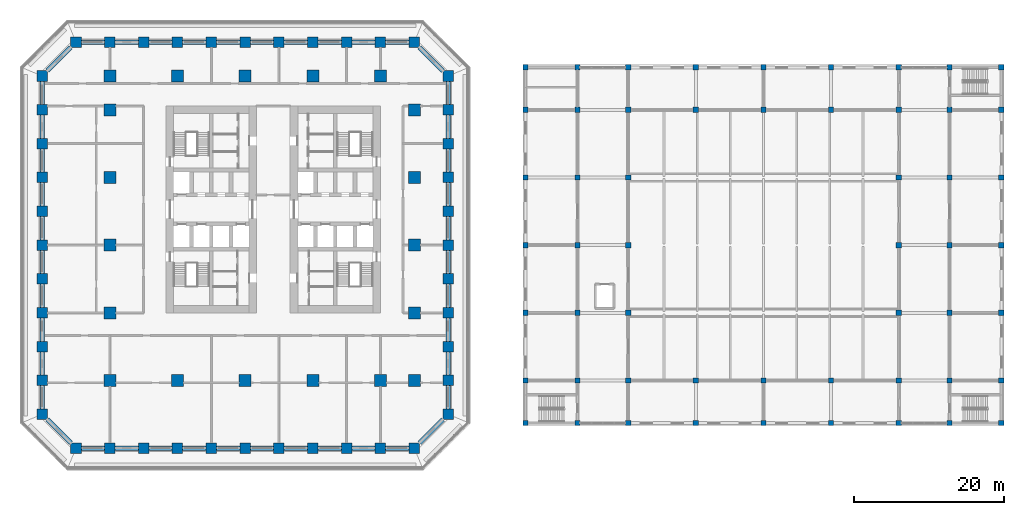
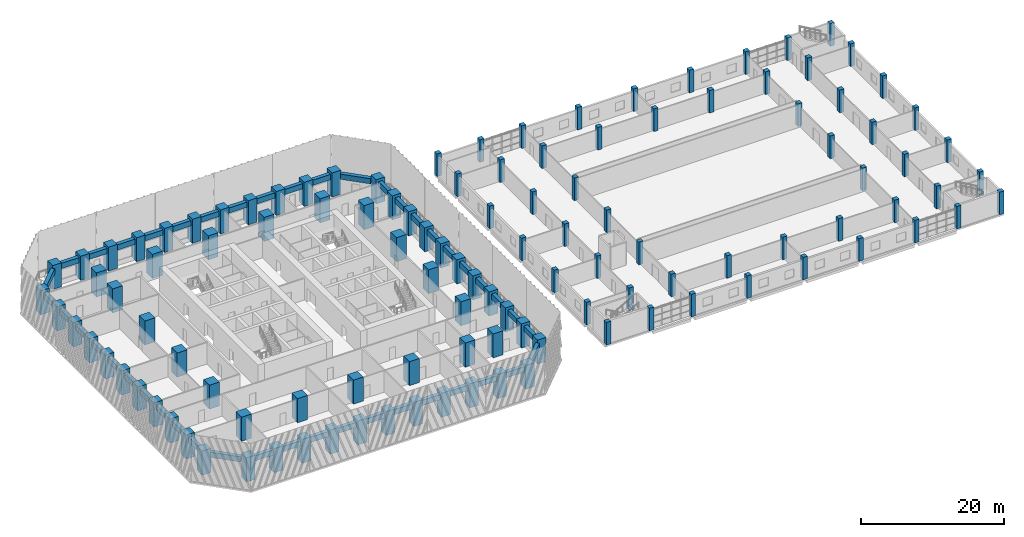
# One storey, part 1 of 31: 117 columns, 44 beams.
"""IFC4 building model written with IfcOpenShell, lengths in metres."""

from ifc_helpers import new_model, si_unit, direction, frame, origin, origin_2d, place, context, subcontext, project, spatial, rectangle, extrude, material, material_profile, profile_set, type_object, element, save


model = new_model("IFC4")

# Units and contexts
model_context = context("Model", 3, precision=1e-05, world=origin(), true_north=direction((0.0, 1.0)))
body_context = subcontext(model_context, "Body", "Model", "MODEL_VIEW")
ifc_project = project(units=[si_unit("LENGTHUNIT", "METRE"), si_unit("AREAUNIT", "SQUARE_METRE"), si_unit("VOLUMEUNIT", "CUBIC_METRE"), si_unit("PLANEANGLEUNIT", "RADIAN"), si_unit("MASSUNIT", "GRAM", prefix="KILO")], contexts=[model_context])

# Site, building, storey
site_placement = place(None, origin())
site = spatial("IfcSite", under=ifc_project, at=site_placement, CompositionType="ELEMENT")
building_placement = place(site_placement, origin())
building = spatial("IfcBuilding", under=site, at=building_placement, Name="Corbel Stack Research Tower", CompositionType="ELEMENT")
storey_placement = place(building_placement, frame((0.0, 0.0, 15.39990234375)))
storey = spatial("IfcBuildingStorey", under=building, at=storey_placement, Name="L03", CompositionType="ELEMENT", Elevation=15.39990234375)

# Columns
ifc_material_1 = material(Name="Concrete C70/85", Category="concrete")
ifc_material_profile_1 = material_profile(ifc_material_1, rectangle(XDim=1.39990234375, YDim=1.39990234375, at=origin_2d()), Name="RC 1400 x 1400")
ifc_profile_set_1 = profile_set([ifc_material_profile_1], Name="Concrete C70/85")
column_type_1 = type_object("IfcColumnType", Name="C-1400-70", PredefinedType="COLUMN", material=ifc_profile_set_1)
for number, where, z_axis, x_axis, name in (
    (1, (-27.0, -22.5, 0.0), (0.0, 0.0, 1.0), (1.0, 0.0, 0.0), "Column 2/C L03"),
    (2, (-27.0, -18.0, 0.0), (0.0, 0.0, 1.0), (1.0, 0.0, 0.0), "Column 2/D L03"),
    (3, (-27.0, -13.5, 0.0), (0.0, 0.0, 1.0), (1.0, 0.0, 0.0), "Column 2/E L03"),
    (4, (-27.0, -9.0, 0.0), (0.0, 0.0, 1.0), (1.0, 0.0, 0.0), "Column 2/F L03"),
    (5, (-27.0, -4.5, 0.0), (0.0, 0.0, 1.0), (1.0, 0.0, 0.0), "Column 2/G L03"),
    (6, (-27.0, 0.0, 0.0), (0.0, 0.0, 1.0), (1.0, 0.0, 0.0), "Column 2/H L03"),
    (7, (-27.0, 4.5, 0.0), (0.0, 0.0, 1.0), (1.0, 0.0, 0.0), "Column 2/J L03"),
    (8, (-27.0, 9.0, 0.0), (0.0, 0.0, 1.0), (1.0, 0.0, 0.0), "Column 2/K L03"),
    (9, (-27.0, 13.5, 0.0), (0.0, 0.0, 1.0), (1.0, 0.0, 0.0), "Column 2/L L03"),
    (10, (-27.0, 18.0, 0.0), (0.0, 0.0, 1.0), (1.0, 0.0, 0.0), "Column 2/M L03"),
    (11, (-27.0, 22.5, 0.0), (0.0, 0.0, 1.0), (1.0, 0.0, 0.0), "Column 2/N L03"),
    (12, (-22.5, -27.0, 0.0), (0.0, 0.0, 1.0), (1.0, 0.0, 0.0), "Column 3/B L03"),
    (13, (-22.5, 27.0, 0.0), (0.0, 0.0, 1.0), (1.0, 0.0, 0.0), "Column 3/P L03"),
    (14, (-18.0, -27.0, 0.0), (0.0, 0.0, 1.0), (1.0, 0.0, 0.0), "Column 4/B L03"),
    (15, (-18.0, 27.0, 0.0), (0.0, 0.0, 1.0), (1.0, 0.0, 0.0), "Column 4/P L03"),
    (16, (-13.5, -27.0, 0.0), (0.0, 0.0, 1.0), (1.0, 0.0, 0.0), "Column 5/B L03"),
    (17, (-13.5, 27.0, 0.0), (0.0, 0.0, 1.0), (1.0, 0.0, 0.0), "Column 5/P L03"),
    (18, (-9.0, -27.0, 0.0), (0.0, 0.0, 1.0), (1.0, 0.0, 0.0), "Column 6/B L03"),
    (19, (-9.0, 27.0, 0.0), (0.0, 0.0, 1.0), (1.0, 0.0, 0.0), "Column 6/P L03"),
    (20, (-4.5, -27.0, 0.0), (0.0, 0.0, 1.0), (1.0, 0.0, 0.0), "Column 7/B L03"),
    (21, (-4.5, 27.0, 0.0), (0.0, 0.0, 1.0), (1.0, 0.0, 0.0), "Column 7/P L03"),
    (22, (0.0, -27.0, 0.0), (0.0, 0.0, 1.0), (1.0, 0.0, 0.0), "Column 8/B L03"),
    (23, (0.0, 27.0, 0.0), (0.0, 0.0, 1.0), (1.0, 0.0, 0.0), "Column 8/P L03"),
    (24, (4.5, -27.0, 0.0), (0.0, 0.0, 1.0), (1.0, 0.0, 0.0), "Column 9/B L03"),
    (25, (4.5, 27.0, 0.0), (0.0, 0.0, 1.0), (1.0, 0.0, 0.0), "Column 9/P L03"),
    (26, (9.0, -27.0, 0.0), (0.0, 0.0, 1.0), (1.0, 0.0, 0.0), "Column 10/B L03"),
    (27, (9.0, 27.0, 0.0), (0.0, 0.0, 1.0), (1.0, 0.0, 0.0), "Column 10/P L03"),
    (28, (13.5, -27.0, 0.0), (0.0, 0.0, 1.0), (1.0, 0.0, 0.0), "Column 11/B L03"),
    (29, (13.5, 27.0, 0.0), (0.0, 0.0, 1.0), (1.0, 0.0, 0.0), "Column 11/P L03"),
    (30, (18.0, -27.0, 0.0), (0.0, 0.0, 1.0), (1.0, 0.0, 0.0), "Column 12/B L03"),
    (31, (18.0, 27.0, 0.0), (0.0, 0.0, 1.0), (1.0, 0.0, 0.0), "Column 12/P L03"),
    (32, (22.5, -27.0, 0.0), (0.0, 0.0, 1.0), (1.0, 0.0, 0.0), "Column 13/B L03"),
    (33, (22.5, 27.0, 0.0), (0.0, 0.0, 1.0), (1.0, 0.0, 0.0), "Column 13/P L03"),
    (34, (27.0, -22.5, 0.0), (0.0, 0.0, 1.0), (1.0, 0.0, 0.0), "Column 14/C L03"),
    (35, (27.0, -18.0, 0.0), (0.0, 0.0, 1.0), (1.0, 0.0, 0.0), "Column 14/D L03"),
    (36, (27.0, -13.5, 0.0), (0.0, 0.0, 1.0), (1.0, 0.0, 0.0), "Column 14/E L03"),
    (37, (27.0, -9.0, 0.0), (0.0, 0.0, 1.0), (1.0, 0.0, 0.0), "Column 14/F L03"),
    (38, (27.0, -4.5, 0.0), (0.0, 0.0, 1.0), (1.0, 0.0, 0.0), "Column 14/G L03"),
    (39, (27.0, 0.0, 0.0), (0.0, 0.0, 1.0), (1.0, 0.0, 0.0), "Column 14/H L03"),
    (40, (27.0, 4.5, 0.0), (0.0, 0.0, 1.0), (1.0, 0.0, 0.0), "Column 14/J L03"),
    (41, (27.0, 9.0, 0.0), (0.0, 0.0, 1.0), (1.0, 0.0, 0.0), "Column 14/K L03"),
    (42, (27.0, 13.5, 0.0), (0.0, 0.0, 1.0), (1.0, 0.0, 0.0), "Column 14/L L03"),
    (43, (27.0, 18.0, 0.0), (0.0, 0.0, 1.0), (1.0, 0.0, 0.0), "Column 14/M L03"),
    (44, (27.0, 22.5, 0.0), (0.0, 0.0, 1.0), (1.0, 0.0, 0.0), "Column 14/N L03"),
):
    element("IfcColumn", number, at=place(storey_placement, frame(where, z_axis=z_axis, x_axis=x_axis)), inside=storey, type_object=column_type_1, Name=name, PredefinedType="COLUMN", context=body_context, shape_type="SweptSolid", body=[
        extrude(rectangle(XDim=1.39990234375, YDim=1.39990234375, at=origin_2d()), origin(), (0.0, 0.0, 1.0), 4.10009765625),
    ])
ifc_material_2 = material(Name="Concrete C70/85", Category="concrete")
ifc_material_profile_2 = material_profile(ifc_material_2, rectangle(XDim=1.60009765625, YDim=1.60009765625, at=origin_2d()), Name="RC 1600 x 1600")
ifc_profile_set_2 = profile_set([ifc_material_profile_2], Name="Concrete C70/85")
column_type_2 = type_object("IfcColumnType", Name="C-1600-70", PredefinedType="COLUMN", material=ifc_profile_set_2)
for number, where, z_axis, x_axis, name in (
    (45, (-18.0, -18.0, 0.0), (0.0, 0.0, 1.0), (1.0, 0.0, 0.0), "Column 4/D L03"),
    (46, (-18.0, -9.0, 0.0), (0.0, 0.0, 1.0), (1.0, 0.0, 0.0), "Column 4/F L03"),
    (47, (-18.0, 0.0, 0.0), (0.0, 0.0, 1.0), (1.0, 0.0, 0.0), "Column 4/H L03"),
    (48, (-18.0, 9.0, 0.0), (0.0, 0.0, 1.0), (1.0, 0.0, 0.0), "Column 4/K L03"),
    (49, (-18.0, 18.0, 0.0), (0.0, 0.0, 1.0), (1.0, 0.0, 0.0), "Column 4/M L03"),
    (50, (-18.0, 22.5, 0.0), (0.0, 0.0, 1.0), (1.0, 0.0, 0.0), "Column 4/N L03"),
    (51, (-9.0, -18.0, 0.0), (0.0, 0.0, 1.0), (1.0, 0.0, 0.0), "Column 6/D L03"),
    (52, (-9.0, 22.5, 0.0), (0.0, 0.0, 1.0), (1.0, 0.0, 0.0), "Column 6/N L03"),
    (53, (0.0, -18.0, 0.0), (0.0, 0.0, 1.0), (1.0, 0.0, 0.0), "Column 8/D L03"),
    (54, (0.0, 22.5, 0.0), (0.0, 0.0, 1.0), (1.0, 0.0, 0.0), "Column 8/N L03"),
    (55, (9.0, -18.0, 0.0), (0.0, 0.0, 1.0), (1.0, 0.0, 0.0), "Column 10/D L03"),
    (56, (9.0, 22.5, 0.0), (0.0, 0.0, 1.0), (1.0, 0.0, 0.0), "Column 10/N L03"),
    (57, (18.0, -18.0, 0.0), (0.0, 0.0, 1.0), (1.0, 0.0, 0.0), "Column 12/D L03"),
    (58, (18.0, 22.5, 0.0), (0.0, 0.0, 1.0), (1.0, 0.0, 0.0), "Column 12/N L03"),
    (59, (22.5, -18.0, 0.0), (0.0, 0.0, 1.0), (1.0, 0.0, 0.0), "Column 13/D L03"),
    (60, (22.5, -9.0, 0.0), (0.0, 0.0, 1.0), (1.0, 0.0, 0.0), "Column 13/F L03"),
    (61, (22.5, 0.0, 0.0), (0.0, 0.0, 1.0), (1.0, 0.0, 0.0), "Column 13/H L03"),
    (62, (22.5, 9.0, 0.0), (0.0, 0.0, 1.0), (1.0, 0.0, 0.0), "Column 13/K L03"),
    (63, (22.5, 18.0, 0.0), (0.0, 0.0, 1.0), (1.0, 0.0, 0.0), "Column 13/M L03"),
):
    element("IfcColumn", number, at=place(storey_placement, frame(where, z_axis=z_axis, x_axis=x_axis)), inside=storey, type_object=column_type_2, Name=name, PredefinedType="COLUMN", context=body_context, shape_type="SweptSolid", body=[
        extrude(rectangle(XDim=1.60009765625, YDim=1.60009765625, at=origin_2d()), origin(), (0.0, 0.0, 1.0), 4.10009765625),
    ])
ifc_material_3 = material(Name="Concrete C50/60", Category="concrete")
ifc_material_profile_3 = material_profile(ifc_material_3, rectangle(XDim=0.699951171875, YDim=0.699951171875, at=origin_2d()), Name="RC 700 x 700")
ifc_profile_set_3 = profile_set([ifc_material_profile_3], Name="Concrete C50/60")
column_type_3 = type_object("IfcColumnType", Name="HC1 RC column 700 x 700", PredefinedType="COLUMN", material=ifc_profile_set_3)
for number, where, z_axis, x_axis, name in (
    (64, (37.300048828125, -23.64990234375, 0.0), (0.0, 0.0, 1.0), (1.0, 0.0, 0.0), "Column H1/HA L03"),
    (65, (37.300048828125, -18.0, 0.0), (0.0, 0.0, 1.0), (1.0, 0.0, 0.0), "Column H1/HB L03"),
    (66, (37.300048828125, -9.0, 0.0), (0.0, 0.0, 1.0), (1.0, 0.0, 0.0), "Column H1/HC L03"),
    (67, (37.300048828125, 0.0, 0.0), (0.0, 0.0, 1.0), (1.0, 0.0, 0.0), "Column H1/HD L03"),
    (68, (37.300048828125, 9.0, 0.0), (0.0, 0.0, 1.0), (1.0, 0.0, 0.0), "Column H1/HE L03"),
    (69, (37.300048828125, 18.0, 0.0), (0.0, 0.0, 1.0), (1.0, 0.0, 0.0), "Column H1/HF L03"),
    (70, (37.300048828125, 23.64990234375, 0.0), (0.0, 0.0, 1.0), (1.0, 0.0, 0.0), "Column H1/HG L03"),
    (71, (44.199951171875, -23.64990234375, 0.0), (0.0, 0.0, 1.0), (1.0, 0.0, 0.0), "Column H2/HA L03"),
    (72, (44.199951171875, -18.0, 0.0), (0.0, 0.0, 1.0), (1.0, 0.0, 0.0), "Column H2/HB L03"),
    (73, (44.199951171875, -9.0, 0.0), (0.0, 0.0, 1.0), (1.0, 0.0, 0.0), "Column H2/HC L03"),
    (74, (44.199951171875, 0.0, 0.0), (0.0, 0.0, 1.0), (1.0, 0.0, 0.0), "Column H2/HD L03"),
    (75, (44.199951171875, 9.0, 0.0), (0.0, 0.0, 1.0), (1.0, 0.0, 0.0), "Column H2/HE L03"),
    (76, (44.199951171875, 18.0, 0.0), (0.0, 0.0, 1.0), (1.0, 0.0, 0.0), "Column H2/HF L03"),
    (77, (44.199951171875, 23.64990234375, 0.0), (0.0, 0.0, 1.0), (1.0, 0.0, 0.0), "Column H2/HG L03"),
    (78, (50.949951171875, -23.64990234375, 0.0), (0.0, 0.0, 1.0), (1.0, 0.0, 0.0), "Column H3/HA L03"),
    (79, (50.949951171875, -18.0, 0.0), (0.0, 0.0, 1.0), (1.0, 0.0, 0.0), "Column H3/HB L03"),
    (80, (50.949951171875, -9.0, 0.0), (0.0, 0.0, 1.0), (1.0, 0.0, 0.0), "Column H3/HC L03"),
    (81, (50.949951171875, 0.0, 0.0), (0.0, 0.0, 1.0), (1.0, 0.0, 0.0), "Column H3/HD L03"),
    (82, (50.949951171875, 9.0, 0.0), (0.0, 0.0, 1.0), (1.0, 0.0, 0.0), "Column H3/HE L03"),
    (83, (50.949951171875, 18.0, 0.0), (0.0, 0.0, 1.0), (1.0, 0.0, 0.0), "Column H3/HF L03"),
    (84, (50.949951171875, 23.64990234375, 0.0), (0.0, 0.0, 1.0), (1.0, 0.0, 0.0), "Column H3/HG L03"),
    (85, (59.949951171875, -23.64990234375, 0.0), (0.0, 0.0, 1.0), (1.0, 0.0, 0.0), "Column H4/HA L03"),
    (86, (59.949951171875, -18.0, 0.0), (0.0, 0.0, 1.0), (1.0, 0.0, 0.0), "Column H4/HB L03"),
    (87, (59.949951171875, 18.0, 0.0), (0.0, 0.0, 1.0), (1.0, 0.0, 0.0), "Column H4/HF L03"),
    (88, (59.949951171875, 23.64990234375, 0.0), (0.0, 0.0, 1.0), (1.0, 0.0, 0.0), "Column H4/HG L03"),
    (89, (68.949951171875, -23.64990234375, 0.0), (0.0, 0.0, 1.0), (1.0, 0.0, 0.0), "Column H5/HA L03"),
    (90, (68.949951171875, -18.0, 0.0), (0.0, 0.0, 1.0), (1.0, 0.0, 0.0), "Column H5/HB L03"),
    (91, (68.949951171875, 18.0, 0.0), (0.0, 0.0, 1.0), (1.0, 0.0, 0.0), "Column H5/HF L03"),
    (92, (68.949951171875, 23.64990234375, 0.0), (0.0, 0.0, 1.0), (1.0, 0.0, 0.0), "Column H5/HG L03"),
    (93, (77.949951171875, -23.64990234375, 0.0), (0.0, 0.0, 1.0), (1.0, 0.0, 0.0), "Column H6/HA L03"),
    (94, (77.949951171875, -18.0, 0.0), (0.0, 0.0, 1.0), (1.0, 0.0, 0.0), "Column H6/HB L03"),
    (95, (77.949951171875, 18.0, 0.0), (0.0, 0.0, 1.0), (1.0, 0.0, 0.0), "Column H6/HF L03"),
    (96, (77.949951171875, 23.64990234375, 0.0), (0.0, 0.0, 1.0), (1.0, 0.0, 0.0), "Column H6/HG L03"),
    (97, (86.949951171875, -23.64990234375, 0.0), (0.0, 0.0, 1.0), (1.0, 0.0, 0.0), "Column H7/HA L03"),
    (98, (86.949951171875, -18.0, 0.0), (0.0, 0.0, 1.0), (1.0, 0.0, 0.0), "Column H7/HB L03"),
    (99, (86.949951171875, -9.0, 0.0), (0.0, 0.0, 1.0), (1.0, 0.0, 0.0), "Column H7/HC L03"),
    (100, (86.949951171875, 0.0, 0.0), (0.0, 0.0, 1.0), (1.0, 0.0, 0.0), "Column H7/HD L03"),
    (101, (86.949951171875, 9.0, 0.0), (0.0, 0.0, 1.0), (1.0, 0.0, 0.0), "Column H7/HE L03"),
    (102, (86.949951171875, 18.0, 0.0), (0.0, 0.0, 1.0), (1.0, 0.0, 0.0), "Column H7/HF L03"),
    (103, (86.949951171875, 23.64990234375, 0.0), (0.0, 0.0, 1.0), (1.0, 0.0, 0.0), "Column H7/HG L03"),
    (104, (93.699951171875, -23.64990234375, 0.0), (0.0, 0.0, 1.0), (1.0, 0.0, 0.0), "Column H8/HA L03"),
    (105, (93.699951171875, -18.0, 0.0), (0.0, 0.0, 1.0), (1.0, 0.0, 0.0), "Column H8/HB L03"),
    (106, (93.699951171875, -9.0, 0.0), (0.0, 0.0, 1.0), (1.0, 0.0, 0.0), "Column H8/HC L03"),
    (107, (93.699951171875, 0.0, 0.0), (0.0, 0.0, 1.0), (1.0, 0.0, 0.0), "Column H8/HD L03"),
    (108, (93.699951171875, 9.0, 0.0), (0.0, 0.0, 1.0), (1.0, 0.0, 0.0), "Column H8/HE L03"),
    (109, (93.699951171875, 18.0, 0.0), (0.0, 0.0, 1.0), (1.0, 0.0, 0.0), "Column H8/HF L03"),
    (110, (93.699951171875, 23.64990234375, 0.0), (0.0, 0.0, 1.0), (1.0, 0.0, 0.0), "Column H8/HG L03"),
    (111, (100.60009765625, -23.64990234375, 0.0), (0.0, 0.0, 1.0), (1.0, 0.0, 0.0), "Column H9/HA L03"),
    (112, (100.60009765625, -18.0, 0.0), (0.0, 0.0, 1.0), (1.0, 0.0, 0.0), "Column H9/HB L03"),
    (113, (100.60009765625, -9.0, 0.0), (0.0, 0.0, 1.0), (1.0, 0.0, 0.0), "Column H9/HC L03"),
    (114, (100.60009765625, 0.0, 0.0), (0.0, 0.0, 1.0), (1.0, 0.0, 0.0), "Column H9/HD L03"),
    (115, (100.60009765625, 9.0, 0.0), (0.0, 0.0, 1.0), (1.0, 0.0, 0.0), "Column H9/HE L03"),
    (116, (100.60009765625, 18.0, 0.0), (0.0, 0.0, 1.0), (1.0, 0.0, 0.0), "Column H9/HF L03"),
    (117, (100.60009765625, 23.64990234375, 0.0), (0.0, 0.0, 1.0), (1.0, 0.0, 0.0), "Column H9/HG L03"),
):
    element("IfcColumn", number, at=place(storey_placement, frame(where, z_axis=z_axis, x_axis=x_axis)), inside=storey, type_object=column_type_3, Name=name, PredefinedType="COLUMN", context=body_context, shape_type="SweptSolid", body=[
        extrude(rectangle(XDim=0.699951171875, YDim=0.699951171875, at=origin_2d()), origin(), (0.0, 0.0, 1.0), 3.85009765625),
    ])

# Beams
ifc_material_4 = material(Name="Concrete C60/75", Category="concrete")
ifc_material_profile_4 = material_profile(ifc_material_4, rectangle(XDim=0.60009765625, YDim=0.89990234375, at=origin_2d()), Name="RC 600 x 900")
ifc_profile_set_4 = profile_set([ifc_material_profile_4], Name="Concrete C60/75")
beam_type = type_object("IfcBeamType", Name="SB-600-900-450", PredefinedType="SPANDREL", material=ifc_profile_set_4)
for number, where, z_axis, x_axis, name in (
    (118, (-21.800048828125, -27.0, 3.2001953125), (1.0, 0.0, 0.0), (0.0, 1.0, 0.0), "Spandrel beam L03-01"),
    (119, (-17.300048828125, -27.0, 3.2001953125), (1.0, 0.0, 0.0), (0.0, 1.0, 0.0), "Spandrel beam L03-02"),
    (120, (-12.800048828125, -27.0, 3.2001953125), (1.0, 0.0, 0.0), (0.0, 1.0, 0.0), "Spandrel beam L03-03"),
    (121, (-8.300048828125, -27.0, 3.2001953125), (1.0, 0.0, 0.0), (0.0, 1.0, 0.0), "Spandrel beam L03-04"),
    (122, (-3.800048828125, -27.0, 3.2001953125), (1.0, 0.0, 0.0), (0.0, 1.0, 0.0), "Spandrel beam L03-05"),
    (123, (0.699951171875, -27.0, 3.2001953125), (1.0, 0.0, 0.0), (0.0, 1.0, 0.0), "Spandrel beam L03-06"),
    (124, (5.199951171875, -27.0, 3.2001953125), (1.0, 0.0, 0.0), (0.0, 1.0, 0.0), "Spandrel beam L03-07"),
    (125, (9.699951171875, -27.0, 3.2001953125), (1.0, 0.0, 0.0), (0.0, 1.0, 0.0), "Spandrel beam L03-08"),
    (126, (14.199951171875, -27.0, 3.2001953125), (1.0, 0.0, 0.0), (0.0, 1.0, 0.0), "Spandrel beam L03-09"),
    (127, (18.699951171875, -27.0, 3.2001953125), (1.0, 0.0, 0.0), (0.0, 1.0, 0.0), "Spandrel beam L03-10"),
):
    element("IfcBeam", number, at=place(storey_placement, frame(where, z_axis=z_axis, x_axis=x_axis)), inside=storey, type_object=beam_type, Name=name, PredefinedType="SPANDREL", context=body_context, shape_type="SweptSolid", body=[
        extrude(rectangle(XDim=0.60009765625, YDim=0.89990234375, at=origin_2d()), origin(), (0.0, 0.0, 1.0), 3.10009765625),
    ])
beam_1_placement = place(storey_placement, frame((23.199951171875, -26.300048828125, 3.2001953125), z_axis=(0.707106781187, 0.707106781187, 0.0), x_axis=(-0.707106781187, 0.707106781187, 0.0)))
element("IfcBeam", 128, at=beam_1_placement, inside=storey, type_object=beam_type, Name="Spandrel beam L03-11", PredefinedType="SPANDREL", context=body_context, shape_type="SweptSolid", body=[
    extrude(rectangle(XDim=0.60009765625, YDim=0.89990234375, at=origin_2d()), origin(), (0.0, 0.0, 1.0), 4.38427734375),
])
for number, where, z_axis, x_axis, name in (
    (129, (27.0, -21.800048828125, 3.2001953125), (0.0, 1.0, 0.0), (-1.0, 0.0, 0.0), "Spandrel beam L03-12"),
    (130, (27.0, -17.300048828125, 3.2001953125), (0.0, 1.0, 0.0), (-1.0, 0.0, 0.0), "Spandrel beam L03-13"),
    (131, (27.0, -12.800048828125, 3.2001953125), (0.0, 1.0, 0.0), (-1.0, 0.0, 0.0), "Spandrel beam L03-14"),
    (132, (27.0, -8.300048828125, 3.2001953125), (0.0, 1.0, 0.0), (-1.0, 0.0, 0.0), "Spandrel beam L03-15"),
    (133, (27.0, -3.800048828125, 3.2001953125), (0.0, 1.0, 0.0), (-1.0, 0.0, 0.0), "Spandrel beam L03-16"),
    (134, (27.0, 0.699951171875, 3.2001953125), (0.0, 1.0, 0.0), (-1.0, 0.0, 0.0), "Spandrel beam L03-17"),
    (135, (27.0, 5.199951171875, 3.2001953125), (0.0, 1.0, 0.0), (-1.0, 0.0, 0.0), "Spandrel beam L03-18"),
    (136, (27.0, 9.699951171875, 3.2001953125), (0.0, 1.0, 0.0), (-1.0, 0.0, 0.0), "Spandrel beam L03-19"),
    (137, (27.0, 14.199951171875, 3.2001953125), (0.0, 1.0, 0.0), (-1.0, 0.0, 0.0), "Spandrel beam L03-20"),
    (138, (27.0, 18.699951171875, 3.2001953125), (0.0, 1.0, 0.0), (-1.0, 0.0, 0.0), "Spandrel beam L03-21"),
):
    element("IfcBeam", number, at=place(storey_placement, frame(where, z_axis=z_axis, x_axis=x_axis)), inside=storey, type_object=beam_type, Name=name, PredefinedType="SPANDREL", context=body_context, shape_type="SweptSolid", body=[
        extrude(rectangle(XDim=0.60009765625, YDim=0.89990234375, at=origin_2d()), origin(), (0.0, 0.0, 1.0), 3.10009765625),
    ])
beam_2_placement = place(storey_placement, frame((26.300048828125, 23.199951171875, 3.2001953125), z_axis=(-0.707106781187, 0.707106781187, 0.0), x_axis=(-0.707106781187, -0.707106781187, 0.0)))
element("IfcBeam", 139, at=beam_2_placement, inside=storey, type_object=beam_type, Name="Spandrel beam L03-22", PredefinedType="SPANDREL", context=body_context, shape_type="SweptSolid", body=[
    extrude(rectangle(XDim=0.60009765625, YDim=0.89990234375, at=origin_2d()), origin(), (0.0, 0.0, 1.0), 4.38427734375),
])
for number, where, z_axis, x_axis, name in (
    (140, (21.800048828125, 27.0, 3.2001953125), (-1.0, 0.0, 0.0), (0.0, -1.0, 0.0), "Spandrel beam L03-23"),
    (141, (17.300048828125, 27.0, 3.2001953125), (-1.0, 0.0, 0.0), (0.0, -1.0, 0.0), "Spandrel beam L03-24"),
    (142, (12.800048828125, 27.0, 3.2001953125), (-1.0, 0.0, 0.0), (0.0, -1.0, 0.0), "Spandrel beam L03-25"),
    (143, (8.300048828125, 27.0, 3.2001953125), (-1.0, 0.0, 0.0), (0.0, -1.0, 0.0), "Spandrel beam L03-26"),
    (144, (3.800048828125, 27.0, 3.2001953125), (-1.0, 0.0, 0.0), (0.0, -1.0, 0.0), "Spandrel beam L03-27"),
    (145, (-0.699951171875, 27.0, 3.2001953125), (-1.0, 0.0, 0.0), (0.0, -1.0, 0.0), "Spandrel beam L03-28"),
    (146, (-5.199951171875, 27.0, 3.2001953125), (-1.0, 0.0, 0.0), (0.0, -1.0, 0.0), "Spandrel beam L03-29"),
    (147, (-9.699951171875, 27.0, 3.2001953125), (-1.0, 0.0, 0.0), (0.0, -1.0, 0.0), "Spandrel beam L03-30"),
    (148, (-14.199951171875, 27.0, 3.2001953125), (-1.0, 0.0, 0.0), (0.0, -1.0, 0.0), "Spandrel beam L03-31"),
    (149, (-18.699951171875, 27.0, 3.2001953125), (-1.0, 0.0, 0.0), (0.0, -1.0, 0.0), "Spandrel beam L03-32"),
):
    element("IfcBeam", number, at=place(storey_placement, frame(where, z_axis=z_axis, x_axis=x_axis)), inside=storey, type_object=beam_type, Name=name, PredefinedType="SPANDREL", context=body_context, shape_type="SweptSolid", body=[
        extrude(rectangle(XDim=0.60009765625, YDim=0.89990234375, at=origin_2d()), origin(), (0.0, 0.0, 1.0), 3.10009765625),
    ])
beam_3_placement = place(storey_placement, frame((-23.199951171875, 26.300048828125, 3.2001953125), z_axis=(-0.707106781187, -0.707106781187, 0.0), x_axis=(0.707106781187, -0.707106781187, 0.0)))
element("IfcBeam", 150, at=beam_3_placement, inside=storey, type_object=beam_type, Name="Spandrel beam L03-33", PredefinedType="SPANDREL", context=body_context, shape_type="SweptSolid", body=[
    extrude(rectangle(XDim=0.60009765625, YDim=0.89990234375, at=origin_2d()), origin(), (0.0, 0.0, 1.0), 4.38427734375),
])
for number, where, z_axis, x_axis, name in (
    (151, (-27.0, 21.800048828125, 3.2001953125), (0.0, -1.0, 0.0), (1.0, 0.0, 0.0), "Spandrel beam L03-34"),
    (152, (-27.0, 17.300048828125, 3.2001953125), (0.0, -1.0, 0.0), (1.0, 0.0, 0.0), "Spandrel beam L03-35"),
    (153, (-27.0, 12.800048828125, 3.2001953125), (0.0, -1.0, 0.0), (1.0, 0.0, 0.0), "Spandrel beam L03-36"),
    (154, (-27.0, 8.300048828125, 3.2001953125), (0.0, -1.0, 0.0), (1.0, 0.0, 0.0), "Spandrel beam L03-37"),
    (155, (-27.0, 3.800048828125, 3.2001953125), (0.0, -1.0, 0.0), (1.0, 0.0, 0.0), "Spandrel beam L03-38"),
    (156, (-27.0, -0.699951171875, 3.2001953125), (0.0, -1.0, 0.0), (1.0, 0.0, 0.0), "Spandrel beam L03-39"),
    (157, (-27.0, -5.199951171875, 3.2001953125), (0.0, -1.0, 0.0), (1.0, 0.0, 0.0), "Spandrel beam L03-40"),
    (158, (-27.0, -9.699951171875, 3.2001953125), (0.0, -1.0, 0.0), (1.0, 0.0, 0.0), "Spandrel beam L03-41"),
    (159, (-27.0, -14.199951171875, 3.2001953125), (0.0, -1.0, 0.0), (1.0, 0.0, 0.0), "Spandrel beam L03-42"),
    (160, (-27.0, -18.699951171875, 3.2001953125), (0.0, -1.0, 0.0), (1.0, 0.0, 0.0), "Spandrel beam L03-43"),
):
    element("IfcBeam", number, at=place(storey_placement, frame(where, z_axis=z_axis, x_axis=x_axis)), inside=storey, type_object=beam_type, Name=name, PredefinedType="SPANDREL", context=body_context, shape_type="SweptSolid", body=[
        extrude(rectangle(XDim=0.60009765625, YDim=0.89990234375, at=origin_2d()), origin(), (0.0, 0.0, 1.0), 3.10009765625),
    ])
beam_4_placement = place(storey_placement, frame((-26.300048828125, -23.199951171875, 3.2001953125), z_axis=(0.707106781187, -0.707106781187, 0.0), x_axis=(0.707106781187, 0.707106781187, 0.0)))
element("IfcBeam", 161, at=beam_4_placement, inside=storey, type_object=beam_type, Name="Spandrel beam L03-44", PredefinedType="SPANDREL", context=body_context, shape_type="SweptSolid", body=[
    extrude(rectangle(XDim=0.60009765625, YDim=0.89990234375, at=origin_2d()), origin(), (0.0, 0.0, 1.0), 4.38427734375),
])

save(model, "model.ifc")
